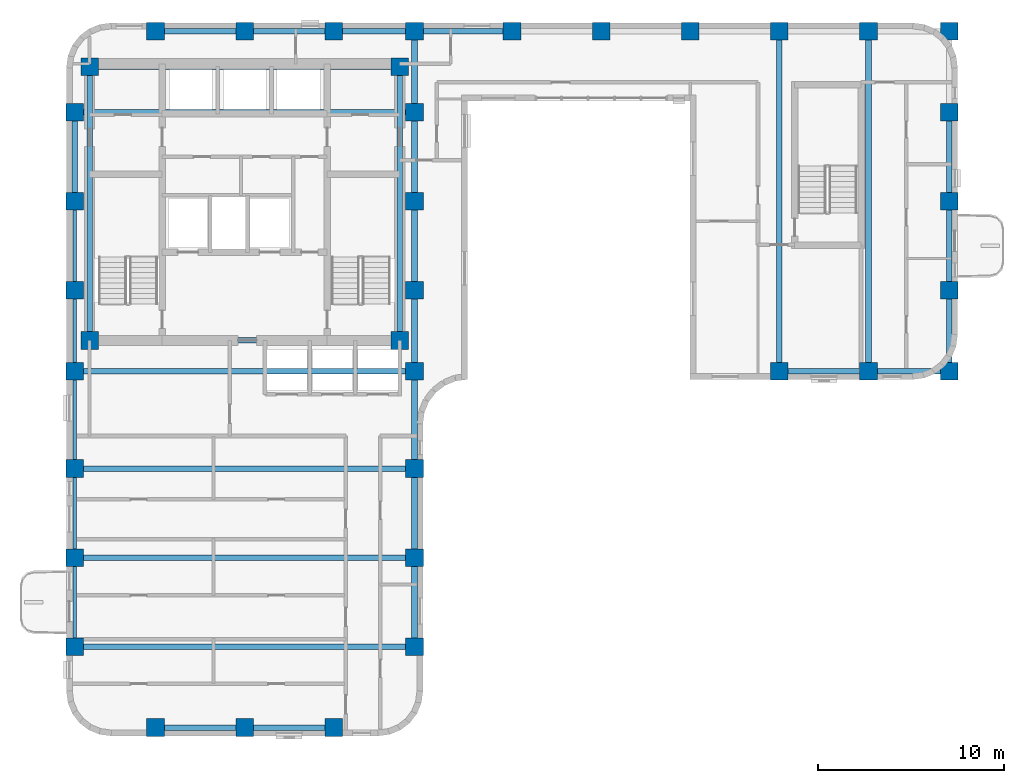
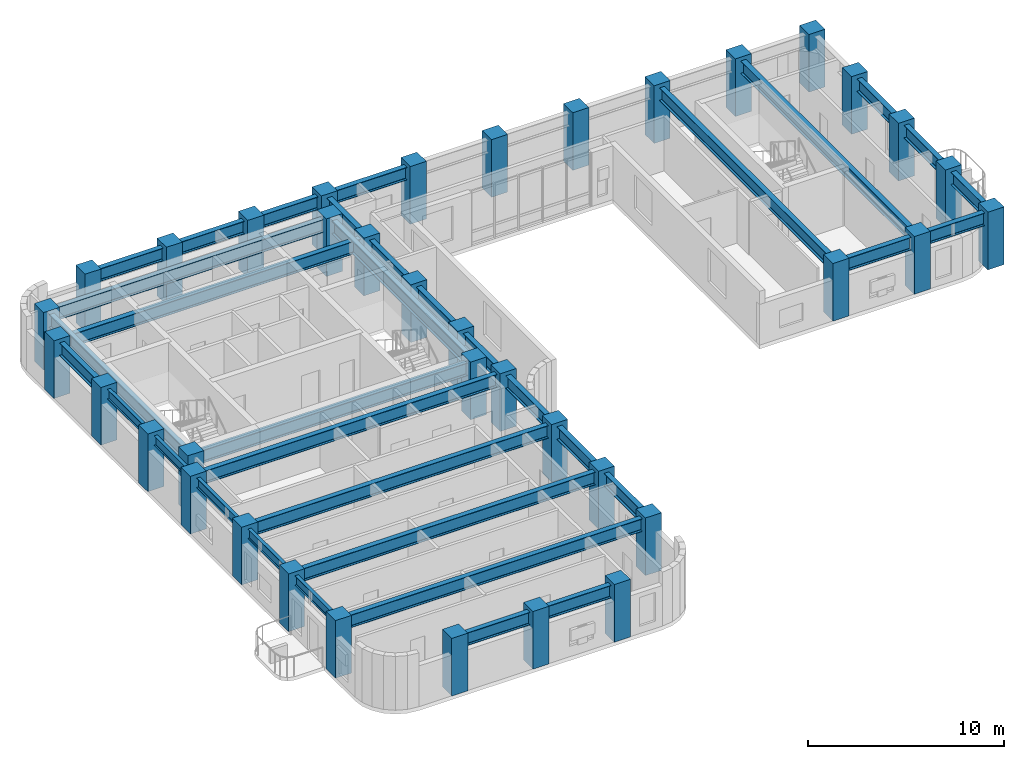
# One storey, part 1 of 11: 37 columns, 35 beams.
"""IFC4 building model written with IfcOpenShell, lengths in metres."""

from ifc_helpers import new_model, si_unit, direction, frame, origin, origin_2d, place, context, subcontext, project, spatial, rectangle, i_section, extrude, material, material_profile, profile_set, type_object, element, save


model = new_model("IFC4")

# Units and contexts
model_context = context("Model", 3, precision=1e-05, world=origin(), true_north=direction((0.0, 1.0)))
body_context = subcontext(model_context, "Body", "Model", "MODEL_VIEW")
ifc_project = project(units=[si_unit("LENGTHUNIT", "METRE"), si_unit("AREAUNIT", "SQUARE_METRE"), si_unit("VOLUMEUNIT", "CUBIC_METRE"), si_unit("PLANEANGLEUNIT", "RADIAN"), si_unit("MASSUNIT", "GRAM", prefix="KILO")], contexts=[model_context])

# Site, building, storey
site_placement = place(None, origin())
site = spatial("IfcSite", under=ifc_project, at=site_placement, CompositionType="ELEMENT")
building_placement = place(site_placement, origin())
building = spatial("IfcBuilding", under=site, at=building_placement, Name="Orvandelia Arch Residences", CompositionType="ELEMENT")
storey_placement = place(building_placement, frame((0.0, 0.0, 157.60009765625)))
storey = spatial("IfcBuildingStorey", under=building, at=storey_placement, Name="L41", CompositionType="ELEMENT", Elevation=157.60009765625)

# Columns
ifc_material_1 = material(Name="Concrete C60/75", Category="concrete")
ifc_material_profile_1 = material_profile(ifc_material_1, rectangle(XDim=0.949951171875, YDim=0.949951171875, at=origin_2d()), Name="Concrete C60/75", Category="concrete")
ifc_profile_set_1 = profile_set([ifc_material_profile_1], Name="Concrete C60/75")
column_type = type_object("IfcColumnType", Name="COL-TWR-950", PredefinedType="COLUMN", material=ifc_profile_set_1)
for number, where, z_axis, x_axis, name in (
    (1, (5.25, 14.39990234375, 0.0), (0.0, 0.0, 1.0), (1.0, 0.0, 0.0), "Structural Column L41-W-W-144"),
    (2, (5.25, 19.199951171875, 0.0), (0.0, 0.0, 1.0), (1.0, 0.0, 0.0), "Structural Column L41-W-W-192"),
    (3, (5.25, 24.0, 0.0), (0.0, 0.0, 1.0), (1.0, 0.0, 0.0), "Structural Column L41-W-W-240"),
    (4, (5.25, 29.25, 0.0), (0.0, 0.0, 1.0), (1.0, 0.0, 0.0), "Structural Column L41-W-W-292"),
    (5, (5.25, 33.60009765625, 0.0), (0.0, 0.0, 1.0), (1.0, 0.0, 0.0), "Structural Column L41-W-W-336"),
    (6, (5.25, 38.39990234375, 0.0), (0.0, 0.0, 1.0), (1.0, 0.0, 0.0), "Structural Column L41-W-W-384"),
    (7, (5.25, 43.199951171875, 0.0), (0.0, 0.0, 1.0), (1.0, 0.0, 0.0), "Structural Column L41-W-W-432"),
    (8, (6.050048828125, 30.89990234375, 0.0), (0.0, 0.0, 1.0), (1.0, 0.0, 0.0), "Structural Column L41-CR-SW"),
    (9, (6.050048828125, 45.64990234375, 0.0), (0.0, 0.0, 1.0), (1.0, 0.0, 0.0), "Structural Column L41-CR-NW"),
    (10, (9.60009765625, 10.050048828125, 0.0), (0.0, 0.0, 1.0), (1.0, 0.0, 0.0), "Structural Column L41-W-S-96"),
    (11, (9.60009765625, 47.550048828125, 0.0), (0.0, 0.0, 1.0), (1.0, 0.0, 0.0), "Structural Column L41-W-N-96"),
    (12, (14.39990234375, 10.050048828125, 0.0), (0.0, 0.0, 1.0), (1.0, 0.0, 0.0), "Structural Column L41-W-S-144"),
    (13, (14.39990234375, 47.550048828125, 0.0), (0.0, 0.0, 1.0), (1.0, 0.0, 0.0), "Structural Column L41-W-N-144"),
    (14, (19.199951171875, 10.050048828125, 0.0), (0.0, 0.0, 1.0), (1.0, 0.0, 0.0), "Structural Column L41-W-S-192"),
    (15, (19.199951171875, 47.550048828125, 0.0), (0.0, 0.0, 1.0), (1.0, 0.0, 0.0), "Structural Column L41-W-N-192"),
    (16, (22.75, 30.89990234375, 0.0), (0.0, 0.0, 1.0), (1.0, 0.0, 0.0), "Structural Column L41-CR-SE"),
    (17, (22.75, 45.64990234375, 0.0), (0.0, 0.0, 1.0), (1.0, 0.0, 0.0), "Structural Column L41-CR-NE"),
    (18, (23.550048828125, 14.39990234375, 0.0), (0.0, 0.0, 1.0), (1.0, 0.0, 0.0), "Structural Column L41-W-E-144"),
    (19, (23.550048828125, 19.199951171875, 0.0), (0.0, 0.0, 1.0), (1.0, 0.0, 0.0), "Structural Column L41-W-E-192"),
    (20, (23.550048828125, 24.0, 0.0), (0.0, 0.0, 1.0), (1.0, 0.0, 0.0), "Structural Column L41-W-E-240"),
    (21, (23.550048828125, 29.25, 0.0), (0.0, 0.0, 1.0), (1.0, 0.0, 0.0), "Structural Column L41-W-E-292"),
    (22, (23.550048828125, 33.60009765625, 0.0), (0.0, 0.0, 1.0), (1.0, 0.0, 0.0), "Structural Column L41-W-E-336"),
    (23, (23.550048828125, 38.39990234375, 0.0), (0.0, 0.0, 1.0), (1.0, 0.0, 0.0), "Structural Column L41-W-E-384"),
    (24, (23.550048828125, 43.199951171875, 0.0), (0.0, 0.0, 1.0), (1.0, 0.0, 0.0), "Structural Column L41-W-E-432"),
    (25, (23.550048828125, 47.550048828125, 0.0), (0.0, 0.0, 1.0), (1.0, 0.0, 0.0), "Structural Column L41-W-N-235"),
    (26, (28.800048828125, 47.550048828125, 0.0), (0.0, 0.0, 1.0), (1.0, 0.0, 0.0), "Structural Column L41-E-N-288"),
    (27, (33.60009765625, 47.550048828125, 0.0), (0.0, 0.0, 1.0), (1.0, 0.0, 0.0), "Structural Column L41-E-N-336"),
    (28, (38.39990234375, 47.550048828125, 0.0), (0.0, 0.0, 1.0), (1.0, 0.0, 0.0), "Structural Column L41-E-N-384"),
    (29, (43.199951171875, 29.25, 0.0), (0.0, 0.0, 1.0), (1.0, 0.0, 0.0), "Structural Column L41-E-S-432"),
    (30, (43.199951171875, 47.550048828125, 0.0), (0.0, 0.0, 1.0), (1.0, 0.0, 0.0), "Structural Column L41-E-N-432"),
    (31, (48.0, 29.25, 0.0), (0.0, 0.0, 1.0), (1.0, 0.0, 0.0), "Structural Column L41-E-S-480"),
    (32, (48.0, 47.550048828125, 0.0), (0.0, 0.0, 1.0), (1.0, 0.0, 0.0), "Structural Column L41-E-N-480"),
    (33, (52.35009765625, 29.25, 0.0), (0.0, 0.0, 1.0), (1.0, 0.0, 0.0), "Structural Column L41-E-S-523"),
    (34, (52.35009765625, 33.60009765625, 0.0), (0.0, 0.0, 1.0), (1.0, 0.0, 0.0), "Structural Column L41-E-523-336"),
    (35, (52.35009765625, 38.39990234375, 0.0), (0.0, 0.0, 1.0), (1.0, 0.0, 0.0), "Structural Column L41-E-523-384"),
    (36, (52.35009765625, 43.199951171875, 0.0), (0.0, 0.0, 1.0), (1.0, 0.0, 0.0), "Structural Column L41-E-523-432"),
    (37, (52.35009765625, 47.550048828125, 0.0), (0.0, 0.0, 1.0), (1.0, 0.0, 0.0), "Structural Column L41-E-N-523"),
):
    element("IfcColumn", number, at=place(storey_placement, frame(where, z_axis=z_axis, x_axis=x_axis)), inside=storey, type_object=column_type, Name=name, PredefinedType="COLUMN", context=body_context, shape_type="SweptSolid", body=[
        extrude(rectangle(XDim=0.949951171875, YDim=0.949951171875, at=origin_2d()), origin(), (0.0, 0.0, 1.0), 3.599853515625),
    ])

# Beams
ifc_material_2 = material(Name="Structural Steel SM355 (355 MPa)", Category="steel")
ifc_material_profile_2 = material_profile(ifc_material_2, i_section(OverallWidth=0.300048828125, OverallDepth=0.800048828125, WebThickness=0.013916015625, FlangeThickness=0.02587890625, FilletRadius=0.02587890625, at=origin_2d()), Name="Structural Steel SM355 (355 MPa)", Category="steel")
ifc_profile_set_2 = profile_set([ifc_material_profile_2], Name="Structural Steel SM355 (355 MPa)")
beam_type_1 = type_object("IfcBeamType", Name="BM-GRD-H800", PredefinedType="BEAM", material=ifc_profile_set_2)
beam_1_placement = place(storey_placement, frame((5.25, 38.39990234375, 2.9599609375), z_axis=(0.0, 1.0, 0.0), x_axis=(-1.0, 0.0, 0.0)))
element("IfcBeam", 38, at=beam_1_placement, inside=storey, type_object=beam_type_1, Name="Structural Frame Beam L41-NS-006", PredefinedType="BEAM", context=body_context, shape_type="SweptSolid", body=[
    extrude(i_section(OverallWidth=0.300048828125, OverallDepth=0.800048828125, WebThickness=0.013916015625, FlangeThickness=0.02587890625, FilletRadius=0.02587890625, at=origin_2d()), origin(), (0.0, 0.0, 1.0), 4.800048828125),
])
for number, where, z_axis, x_axis, name in (
    (39, (6.050048828125, 30.89990234375, 2.9599609375), (0.0, 1.0, 0.0), (-1.0, 0.0, 0.0), "Structural Frame Beam L41-NS-007"),
    (40, (22.75, 30.89990234375, 2.9599609375), (0.0, 1.0, 0.0), (-1.0, 0.0, 0.0), "Structural Frame Beam L41-NS-008"),
):
    element("IfcBeam", number, at=place(storey_placement, frame(where, z_axis=z_axis, x_axis=x_axis)), inside=storey, type_object=beam_type_1, Name=name, PredefinedType="BEAM", context=body_context, shape_type="SweptSolid", body=[
        extrude(i_section(OverallWidth=0.300048828125, OverallDepth=0.800048828125, WebThickness=0.013916015625, FlangeThickness=0.02587890625, FilletRadius=0.02587890625, at=origin_2d()), origin(), (0.0, 0.0, 1.0), 14.75),
    ])
for number, where, z_axis, x_axis, name in (
    (41, (23.550048828125, 14.39990234375, 2.9599609375), (0.0, 1.0, 0.0), (-1.0, 0.0, 0.0), "Structural Frame Beam L41-NS-009"),
    (42, (23.550048828125, 19.199951171875, 2.9599609375), (0.0, 1.0, 0.0), (-1.0, 0.0, 0.0), "Structural Frame Beam L41-NS-010"),
):
    element("IfcBeam", number, at=place(storey_placement, frame(where, z_axis=z_axis, x_axis=x_axis)), inside=storey, type_object=beam_type_1, Name=name, PredefinedType="BEAM", context=body_context, shape_type="SweptSolid", body=[
        extrude(i_section(OverallWidth=0.300048828125, OverallDepth=0.800048828125, WebThickness=0.013916015625, FlangeThickness=0.02587890625, FilletRadius=0.02587890625, at=origin_2d()), origin(), (0.0, 0.0, 1.0), 4.800048828125),
    ])
beam_2_placement = place(storey_placement, frame((23.550048828125, 24.0, 2.9599609375), z_axis=(0.0, 1.0, 0.0), x_axis=(-1.0, 0.0, 0.0)))
element("IfcBeam", 43, at=beam_2_placement, inside=storey, type_object=beam_type_1, Name="Structural Frame Beam L41-NS-011", PredefinedType="BEAM", context=body_context, shape_type="SweptSolid", body=[
    extrude(i_section(OverallWidth=0.300048828125, OverallDepth=0.800048828125, WebThickness=0.013916015625, FlangeThickness=0.02587890625, FilletRadius=0.02587890625, at=origin_2d()), origin(), (0.0, 0.0, 1.0), 5.25),
])
beam_3_placement = place(storey_placement, frame((23.550048828125, 29.25, 2.9599609375), z_axis=(0.0, 1.0, 0.0), x_axis=(-1.0, 0.0, 0.0)))
element("IfcBeam", 44, at=beam_3_placement, inside=storey, type_object=beam_type_1, Name="Structural Frame Beam L41-NS-012", PredefinedType="BEAM", context=body_context, shape_type="SweptSolid", body=[
    extrude(i_section(OverallWidth=0.300048828125, OverallDepth=0.800048828125, WebThickness=0.013916015625, FlangeThickness=0.02587890625, FilletRadius=0.02587890625, at=origin_2d()), origin(), (0.0, 0.0, 1.0), 4.35009765625),
])
beam_4_placement = place(storey_placement, frame((23.550048828125, 33.60009765625, 2.9599609375), z_axis=(0.0, 1.0, 0.0), x_axis=(-1.0, 0.0, 0.0)))
element("IfcBeam", 45, at=beam_4_placement, inside=storey, type_object=beam_type_1, Name="Structural Frame Beam L41-NS-013", PredefinedType="BEAM", context=body_context, shape_type="SweptSolid", body=[
    extrude(i_section(OverallWidth=0.300048828125, OverallDepth=0.800048828125, WebThickness=0.013916015625, FlangeThickness=0.02587890625, FilletRadius=0.02587890625, at=origin_2d()), origin(), (0.0, 0.0, 1.0), 4.7998046875),
])
beam_5_placement = place(storey_placement, frame((23.550048828125, 38.39990234375, 2.9599609375), z_axis=(0.0, 1.0, 0.0), x_axis=(-1.0, 0.0, 0.0)))
element("IfcBeam", 46, at=beam_5_placement, inside=storey, type_object=beam_type_1, Name="Structural Frame Beam L41-NS-014", PredefinedType="BEAM", context=body_context, shape_type="SweptSolid", body=[
    extrude(i_section(OverallWidth=0.300048828125, OverallDepth=0.800048828125, WebThickness=0.013916015625, FlangeThickness=0.02587890625, FilletRadius=0.02587890625, at=origin_2d()), origin(), (0.0, 0.0, 1.0), 4.800048828125),
])
beam_6_placement = place(storey_placement, frame((23.550048828125, 43.199951171875, 2.9599609375), z_axis=(0.0, 1.0, 0.0), x_axis=(-1.0, 0.0, 0.0)))
element("IfcBeam", 47, at=beam_6_placement, inside=storey, type_object=beam_type_1, Name="Structural Frame Beam L41-NS-015", PredefinedType="BEAM", context=body_context, shape_type="SweptSolid", body=[
    extrude(i_section(OverallWidth=0.300048828125, OverallDepth=0.800048828125, WebThickness=0.013916015625, FlangeThickness=0.02587890625, FilletRadius=0.02587890625, at=origin_2d()), origin(), (0.0, 0.0, 1.0), 4.35009765625),
])
for number, where, z_axis, x_axis, name in (
    (48, (43.199951171875, 29.25, 2.9599609375), (0.0, 1.0, 0.0), (-1.0, 0.0, 0.0), "Structural Frame Beam L41-NS-016"),
    (49, (48.0, 29.25, 2.9599609375), (0.0, 1.0, 0.0), (-1.0, 0.0, 0.0), "Structural Frame Beam L41-NS-017"),
):
    element("IfcBeam", number, at=place(storey_placement, frame(where, z_axis=z_axis, x_axis=x_axis)), inside=storey, type_object=beam_type_1, Name=name, PredefinedType="BEAM", context=body_context, shape_type="SweptSolid", body=[
        extrude(i_section(OverallWidth=0.300048828125, OverallDepth=0.800048828125, WebThickness=0.013916015625, FlangeThickness=0.02587890625, FilletRadius=0.02587890625, at=origin_2d()), origin(), (0.0, 0.0, 1.0), 18.300048828125),
    ])
beam_7_placement = place(storey_placement, frame((52.35009765625, 29.25, 2.9599609375), z_axis=(0.0, 1.0, 0.0), x_axis=(-1.0, 0.0, 0.0)))
element("IfcBeam", 50, at=beam_7_placement, inside=storey, type_object=beam_type_1, Name="Structural Frame Beam L41-NS-018", PredefinedType="BEAM", context=body_context, shape_type="SweptSolid", body=[
    extrude(i_section(OverallWidth=0.300048828125, OverallDepth=0.800048828125, WebThickness=0.013916015625, FlangeThickness=0.02587890625, FilletRadius=0.02587890625, at=origin_2d()), origin(), (0.0, 0.0, 1.0), 4.35009765625),
])
beam_8_placement = place(storey_placement, frame((52.35009765625, 33.60009765625, 2.9599609375), z_axis=(0.0, 1.0, 0.0), x_axis=(-1.0, 0.0, 0.0)))
element("IfcBeam", 51, at=beam_8_placement, inside=storey, type_object=beam_type_1, Name="Structural Frame Beam L41-NS-019", PredefinedType="BEAM", context=body_context, shape_type="SweptSolid", body=[
    extrude(i_section(OverallWidth=0.300048828125, OverallDepth=0.800048828125, WebThickness=0.013916015625, FlangeThickness=0.02587890625, FilletRadius=0.02587890625, at=origin_2d()), origin(), (0.0, 0.0, 1.0), 4.7998046875),
])
beam_9_placement = place(storey_placement, frame((52.35009765625, 38.39990234375, 2.9599609375), z_axis=(0.0, 1.0, 0.0), x_axis=(-1.0, 0.0, 0.0)))
element("IfcBeam", 52, at=beam_9_placement, inside=storey, type_object=beam_type_1, Name="Structural Frame Beam L41-NS-020", PredefinedType="BEAM", context=body_context, shape_type="SweptSolid", body=[
    extrude(i_section(OverallWidth=0.300048828125, OverallDepth=0.800048828125, WebThickness=0.013916015625, FlangeThickness=0.02587890625, FilletRadius=0.02587890625, at=origin_2d()), origin(), (0.0, 0.0, 1.0), 4.800048828125),
])
beam_10_placement = place(storey_placement, frame((9.60009765625, 10.050048828125, 2.9599609375), z_axis=(1.0, 0.0, 0.0), x_axis=(0.0, 1.0, 0.0)))
element("IfcBeam", 53, at=beam_10_placement, inside=storey, type_object=beam_type_1, Name="Structural Frame Girder L41-EW-022", PredefinedType="BEAM", context=body_context, shape_type="SweptSolid", body=[
    extrude(i_section(OverallWidth=0.300048828125, OverallDepth=0.800048828125, WebThickness=0.013916015625, FlangeThickness=0.02587890625, FilletRadius=0.02587890625, at=origin_2d()), origin(), (0.0, 0.0, 1.0), 4.7998046875),
])
beam_11_placement = place(storey_placement, frame((14.39990234375, 10.050048828125, 2.9599609375), z_axis=(1.0, 0.0, 0.0), x_axis=(0.0, 1.0, 0.0)))
element("IfcBeam", 54, at=beam_11_placement, inside=storey, type_object=beam_type_1, Name="Structural Frame Girder L41-EW-023", PredefinedType="BEAM", context=body_context, shape_type="SweptSolid", body=[
    extrude(i_section(OverallWidth=0.300048828125, OverallDepth=0.800048828125, WebThickness=0.013916015625, FlangeThickness=0.02587890625, FilletRadius=0.02587890625, at=origin_2d()), origin(), (0.0, 0.0, 1.0), 4.800048828125),
])
for number, where, z_axis, x_axis, name in (
    (55, (5.25, 14.39990234375, 2.9599609375), (1.0, 0.0, 0.0), (0.0, 1.0, 0.0), "Structural Frame Girder L41-EW-024"),
    (56, (5.25, 19.199951171875, 2.9599609375), (1.0, 0.0, 0.0), (0.0, 1.0, 0.0), "Structural Frame Girder L41-EW-025"),
    (57, (5.25, 24.0, 2.9599609375), (1.0, 0.0, 0.0), (0.0, 1.0, 0.0), "Structural Frame Girder L41-EW-026"),
    (58, (5.25, 29.25, 2.9599609375), (1.0, 0.0, 0.0), (0.0, 1.0, 0.0), "Structural Frame Girder L41-EW-027"),
):
    element("IfcBeam", number, at=place(storey_placement, frame(where, z_axis=z_axis, x_axis=x_axis)), inside=storey, type_object=beam_type_1, Name=name, PredefinedType="BEAM", context=body_context, shape_type="SweptSolid", body=[
        extrude(i_section(OverallWidth=0.300048828125, OverallDepth=0.800048828125, WebThickness=0.013916015625, FlangeThickness=0.02587890625, FilletRadius=0.02587890625, at=origin_2d()), origin(), (0.0, 0.0, 1.0), 18.300048828125),
    ])
beam_12_placement = place(storey_placement, frame((43.199951171875, 29.25, 2.9599609375), z_axis=(1.0, 0.0, 0.0), x_axis=(0.0, 1.0, 0.0)))
element("IfcBeam", 59, at=beam_12_placement, inside=storey, type_object=beam_type_1, Name="Structural Frame Girder L41-EW-028", PredefinedType="BEAM", context=body_context, shape_type="SweptSolid", body=[
    extrude(i_section(OverallWidth=0.300048828125, OverallDepth=0.800048828125, WebThickness=0.013916015625, FlangeThickness=0.02587890625, FilletRadius=0.02587890625, at=origin_2d()), origin(), (0.0, 0.0, 1.0), 4.800048828125),
])
beam_13_placement = place(storey_placement, frame((48.0, 29.25, 2.9599609375), z_axis=(1.0, 0.0, 0.0), x_axis=(0.0, 1.0, 0.0)))
element("IfcBeam", 60, at=beam_13_placement, inside=storey, type_object=beam_type_1, Name="Structural Frame Girder L41-EW-029", PredefinedType="BEAM", context=body_context, shape_type="SweptSolid", body=[
    extrude(i_section(OverallWidth=0.300048828125, OverallDepth=0.800048828125, WebThickness=0.013916015625, FlangeThickness=0.02587890625, FilletRadius=0.02587890625, at=origin_2d()), origin(), (0.0, 0.0, 1.0), 4.35009765625),
])
beam_14_placement = place(storey_placement, frame((6.050048828125, 30.89990234375, 2.9599609375), z_axis=(1.0, 0.0, 0.0), x_axis=(0.0, 1.0, 0.0)))
element("IfcBeam", 61, at=beam_14_placement, inside=storey, type_object=beam_type_1, Name="Structural Frame Girder L41-EW-030", PredefinedType="BEAM", context=body_context, shape_type="SweptSolid", body=[
    extrude(i_section(OverallWidth=0.300048828125, OverallDepth=0.800048828125, WebThickness=0.013916015625, FlangeThickness=0.02587890625, FilletRadius=0.02587890625, at=origin_2d()), origin(), (0.0, 0.0, 1.0), 16.699951171875),
])
beam_15_placement = place(storey_placement, frame((5.25, 43.199951171875, 2.9599609375), z_axis=(1.0, 0.0, 0.0), x_axis=(0.0, 1.0, 0.0)))
element("IfcBeam", 62, at=beam_15_placement, inside=storey, type_object=beam_type_1, Name="Structural Frame Girder L41-EW-033", PredefinedType="BEAM", context=body_context, shape_type="SweptSolid", body=[
    extrude(i_section(OverallWidth=0.300048828125, OverallDepth=0.800048828125, WebThickness=0.013916015625, FlangeThickness=0.02587890625, FilletRadius=0.02587890625, at=origin_2d()), origin(), (0.0, 0.0, 1.0), 18.300048828125),
])
beam_16_placement = place(storey_placement, frame((6.050048828125, 45.64990234375, 2.9599609375), z_axis=(1.0, 0.0, 0.0), x_axis=(0.0, 1.0, 0.0)))
element("IfcBeam", 63, at=beam_16_placement, inside=storey, type_object=beam_type_1, Name="Structural Frame Girder L41-EW-034", PredefinedType="BEAM", context=body_context, shape_type="SweptSolid", body=[
    extrude(i_section(OverallWidth=0.300048828125, OverallDepth=0.800048828125, WebThickness=0.013916015625, FlangeThickness=0.02587890625, FilletRadius=0.02587890625, at=origin_2d()), origin(), (0.0, 0.0, 1.0), 16.699951171875),
])
beam_17_placement = place(storey_placement, frame((9.60009765625, 47.550048828125, 2.9599609375), z_axis=(1.0, 0.0, 0.0), x_axis=(0.0, 1.0, 0.0)))
element("IfcBeam", 64, at=beam_17_placement, inside=storey, type_object=beam_type_1, Name="Structural Frame Girder L41-EW-035", PredefinedType="BEAM", context=body_context, shape_type="SweptSolid", body=[
    extrude(i_section(OverallWidth=0.300048828125, OverallDepth=0.800048828125, WebThickness=0.013916015625, FlangeThickness=0.02587890625, FilletRadius=0.02587890625, at=origin_2d()), origin(), (0.0, 0.0, 1.0), 4.7998046875),
])
beam_18_placement = place(storey_placement, frame((14.39990234375, 47.550048828125, 2.9599609375), z_axis=(1.0, 0.0, 0.0), x_axis=(0.0, 1.0, 0.0)))
element("IfcBeam", 65, at=beam_18_placement, inside=storey, type_object=beam_type_1, Name="Structural Frame Girder L41-EW-036", PredefinedType="BEAM", context=body_context, shape_type="SweptSolid", body=[
    extrude(i_section(OverallWidth=0.300048828125, OverallDepth=0.800048828125, WebThickness=0.013916015625, FlangeThickness=0.02587890625, FilletRadius=0.02587890625, at=origin_2d()), origin(), (0.0, 0.0, 1.0), 4.800048828125),
])
beam_19_placement = place(storey_placement, frame((19.199951171875, 47.550048828125, 2.9599609375), z_axis=(1.0, 0.0, 0.0), x_axis=(0.0, 1.0, 0.0)))
element("IfcBeam", 66, at=beam_19_placement, inside=storey, type_object=beam_type_1, Name="Structural Frame Girder L41-EW-037", PredefinedType="BEAM", context=body_context, shape_type="SweptSolid", body=[
    extrude(i_section(OverallWidth=0.300048828125, OverallDepth=0.800048828125, WebThickness=0.013916015625, FlangeThickness=0.02587890625, FilletRadius=0.02587890625, at=origin_2d()), origin(), (0.0, 0.0, 1.0), 4.35009765625),
])
beam_20_placement = place(storey_placement, frame((23.550048828125, 47.550048828125, 2.9599609375), z_axis=(1.0, 0.0, 0.0), x_axis=(0.0, 1.0, 0.0)))
element("IfcBeam", 67, at=beam_20_placement, inside=storey, type_object=beam_type_1, Name="Structural Frame Girder L41-EW-038", PredefinedType="BEAM", context=body_context, shape_type="SweptSolid", body=[
    extrude(i_section(OverallWidth=0.300048828125, OverallDepth=0.800048828125, WebThickness=0.013916015625, FlangeThickness=0.02587890625, FilletRadius=0.02587890625, at=origin_2d()), origin(), (0.0, 0.0, 1.0), 5.25),
])
ifc_material_profile_3 = material_profile(ifc_material_2, i_section(OverallWidth=0.199951171875, OverallDepth=0.60009765625, WebThickness=0.010986328125, FlangeThickness=0.01708984375, FilletRadius=0.02197265625, at=origin_2d()), Name="Structural Steel SM355 (355 MPa)", Category="steel")
ifc_profile_set_3 = profile_set([ifc_material_profile_3], Name="Structural Steel SM355 (355 MPa)")
beam_type_2 = type_object("IfcBeamType", Name="BM-SPN-H600", PredefinedType="SPANDREL", material=ifc_profile_set_3)
for number, where, z_axis, x_axis, name in (
    (68, (5.25, 14.39990234375, 3.059814453125), (0.0, 1.0, 0.0), (-1.0, 0.0, 0.0), "Structural Frame Beam L41-NS-001"),
    (69, (5.25, 19.199951171875, 3.059814453125), (0.0, 1.0, 0.0), (-1.0, 0.0, 0.0), "Structural Frame Beam L41-NS-002"),
):
    element("IfcBeam", number, at=place(storey_placement, frame(where, z_axis=z_axis, x_axis=x_axis)), inside=storey, type_object=beam_type_2, Name=name, PredefinedType="SPANDREL", context=body_context, shape_type="SweptSolid", body=[
        extrude(i_section(OverallWidth=0.199951171875, OverallDepth=0.60009765625, WebThickness=0.010986328125, FlangeThickness=0.01708984375, FilletRadius=0.02197265625, at=origin_2d()), origin(), (0.0, 0.0, 1.0), 4.800048828125),
    ])
beam_21_placement = place(storey_placement, frame((5.25, 24.0, 3.059814453125), z_axis=(0.0, 1.0, 0.0), x_axis=(-1.0, 0.0, 0.0)))
element("IfcBeam", 70, at=beam_21_placement, inside=storey, type_object=beam_type_2, Name="Structural Frame Beam L41-NS-003", PredefinedType="SPANDREL", context=body_context, shape_type="SweptSolid", body=[
    extrude(i_section(OverallWidth=0.199951171875, OverallDepth=0.60009765625, WebThickness=0.010986328125, FlangeThickness=0.01708984375, FilletRadius=0.02197265625, at=origin_2d()), origin(), (0.0, 0.0, 1.0), 5.25),
])
beam_22_placement = place(storey_placement, frame((5.25, 29.25, 3.059814453125), z_axis=(0.0, 1.0, 0.0), x_axis=(-1.0, 0.0, 0.0)))
element("IfcBeam", 71, at=beam_22_placement, inside=storey, type_object=beam_type_2, Name="Structural Frame Beam L41-NS-004", PredefinedType="SPANDREL", context=body_context, shape_type="SweptSolid", body=[
    extrude(i_section(OverallWidth=0.199951171875, OverallDepth=0.60009765625, WebThickness=0.010986328125, FlangeThickness=0.01708984375, FilletRadius=0.02197265625, at=origin_2d()), origin(), (0.0, 0.0, 1.0), 4.35009765625),
])
beam_23_placement = place(storey_placement, frame((5.25, 33.60009765625, 3.059814453125), z_axis=(0.0, 1.0, 0.0), x_axis=(-1.0, 0.0, 0.0)))
element("IfcBeam", 72, at=beam_23_placement, inside=storey, type_object=beam_type_2, Name="Structural Frame Beam L41-NS-005", PredefinedType="SPANDREL", context=body_context, shape_type="SweptSolid", body=[
    extrude(i_section(OverallWidth=0.199951171875, OverallDepth=0.60009765625, WebThickness=0.010986328125, FlangeThickness=0.01708984375, FilletRadius=0.02197265625, at=origin_2d()), origin(), (0.0, 0.0, 1.0), 4.7998046875),
])

save(model, "model.ifc")
